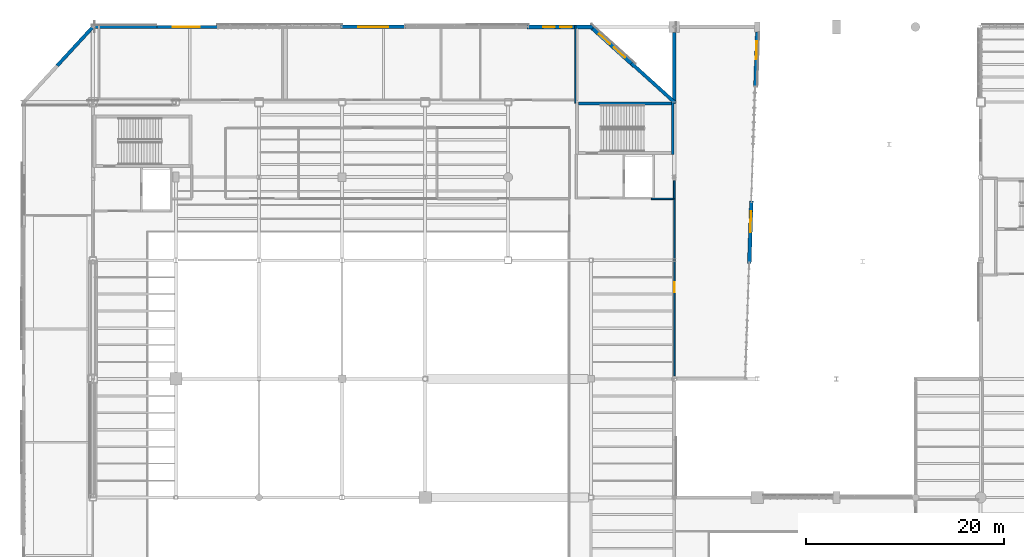
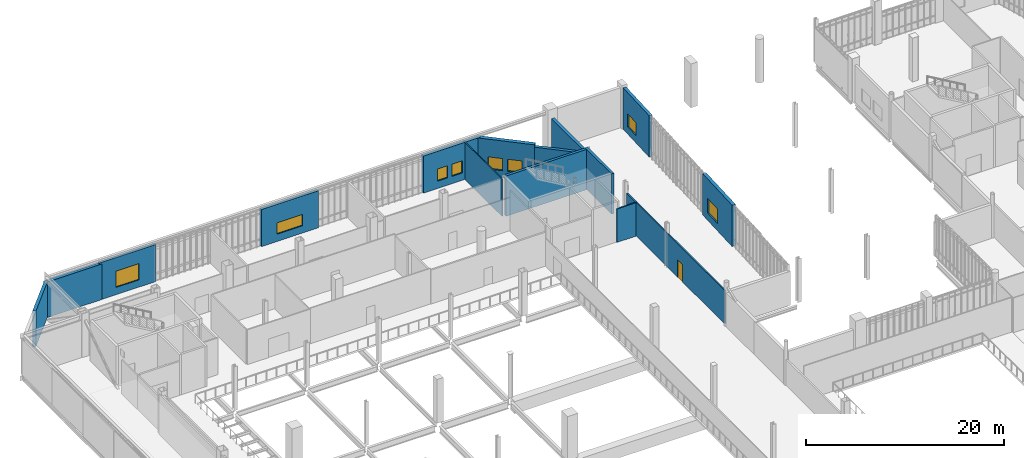
# One storey, part 110 of 127: 16 walls, 8 windows, 1 door, 9 openings.
"""IFC4 building model written with IfcOpenShell, lengths in metres."""

from ifc_helpers import new_model, si_unit, direction, frame, frame_2d, origin, place, context, subcontext, project, spatial, rectangle, extrude, material, layer, layer_set, type_object, element, fill, save


model = new_model("IFC4")

# Units and contexts
model_context = context("Model", 3, precision=1e-05, world=origin(), true_north=direction((0.0, 1.0)))
body_context = subcontext(model_context, "Body", "Model", "MODEL_VIEW")
ifc_project = project(units=[si_unit("LENGTHUNIT", "METRE"), si_unit("AREAUNIT", "SQUARE_METRE"), si_unit("VOLUMEUNIT", "CUBIC_METRE"), si_unit("PLANEANGLEUNIT", "RADIAN"), si_unit("MASSUNIT", "GRAM", prefix="KILO")], contexts=[model_context])

# Site, building, storey
site_placement = place(None, origin())
site = spatial("IfcSite", under=ifc_project, at=site_placement, CompositionType="ELEMENT")
building_placement = place(site_placement, origin())
building = spatial("IfcBuilding", under=site, at=building_placement, Name="Larkvane Passage Sports Hall", CompositionType="ELEMENT")
storey_placement = place(building_placement, frame((0.0, 0.0, 5.39990234375)))
storey = spatial("IfcBuildingStorey", under=building, at=storey_placement, Name="L01", CompositionType="ELEMENT", Elevation=5.39990234375)

# Walls
ifc_material_1 = material(Name="Concrete C50/60", Category="concrete")
ifc_layer_1 = layer(ifc_material_1, 0.360107421875)
ifc_layer_set_1 = layer_set([ifc_layer_1], Name="Concrete C50/60")
wall_type_1 = type_object("IfcWallType", Name="WL-CORE-360", PredefinedType="SHEAR", material=ifc_layer_set_1)
wall_1_placement = place(storey_placement, frame((93.449951171875, 91.60009765625, 0.0), z_axis=(0.0, 0.0, 1.0), x_axis=(0.0, -1.0, 0.0)))
element("IfcWall", 1, at=wall_1_placement, inside=storey, type_object=wall_type_1, Name="Core shear wall WAL-CORE-C3-L01-E", PredefinedType="SHEAR", context=body_context, shape_type="SweptSolid", body=[
    extrude(rectangle(XDim=5.300048828125, YDim=0.300048828125, at=frame_2d((2.64990234375, 0.0))), origin(), (0.0, 0.0, 1.0), 4.97998046875),
])
ifc_layer_2 = layer(ifc_material_1, 0.360107421875)
ifc_layer_set_2 = layer_set([ifc_layer_2], Name="Concrete C50/60")
wall_type_2 = type_object("IfcWallType", Name="WL-CORE-EXT-360", PredefinedType="SHEAR", material=ifc_layer_set_2)
wall_2_placement = place(storey_placement, frame((83.89990234375, 91.449951171875, 0.0), z_axis=(0.0, 0.0, 1.0), x_axis=(1.0, 0.0, 0.0)))
element("IfcWall", 2, at=wall_2_placement, inside=storey, type_object=wall_type_2, Name="Core shear wall WAL-CORE-C3-L01-N", PredefinedType="SHEAR", context=body_context, shape_type="SweptSolid", body=[
    extrude(rectangle(XDim=9.400146484375, YDim=0.300048828125, at=frame_2d((4.7001953125, 0.0))), origin(), (0.0, 0.0, 1.0), 4.97998046875),
])

# Wall, opening, window
ifc_material_2 = material(Name="Precast concrete C45/55", Category="concrete")
ifc_layer_3 = layer(ifc_material_2, 0.31005859375)
ifc_layer_set_3 = layer_set([ifc_layer_3], Name="Precast concrete C45/55")
wall_type_3 = type_object("IfcWallType", Name="WL-EXT-310", PredefinedType="SOLIDWALL", material=ifc_layer_set_3)
wall_3_placement = place(storey_placement, frame((40.951171875, 99.199951171875, 0.0), z_axis=(0.0, 0.0, 1.0), x_axis=(1.0, 0.0, 0.0)))
wall_3 = element("IfcWall", 3, at=wall_3_placement, inside=storey, type_object=wall_type_3, Name="Exterior wall WAL-EXT-L01-073", PredefinedType="SOLIDWALL", context=body_context, shape_type="SweptSolid", body=[
    extrude(rectangle(XDim=6.59765625, YDim=0.31005859375, at=frame_2d((3.298828125, 0.0))), origin(), (0.0, 0.0, 1.0), 4.578125),
])
opening_1_placement = place(wall_3_placement, frame((1.948974609375, 0.0, 0.89990234375)))
opening_1 = element("IfcOpeningElement", 4, at=opening_1_placement, cuts=wall_3, Name="Opening W-05", PredefinedType="OPENING", context=body_context, shape_type="SweptSolid", body=[
    extrude(rectangle(XDim=2.699951171875, YDim=2.0, at=frame_2d((1.35009765625, 1.0))), frame((0.0, 0.1650390625, 0.0), z_axis=(0.0, -1.0, 0.0), x_axis=(1.0, 0.0, 0.0)), (0.0, 0.0, 1.0), 0.330078125),
])
ifc_material_3 = material(Name="Thermally broken aluminium and laminated low-E glass", Category="aluminium")
window_type_1 = type_object("IfcWindowType", Name="WN-FIX-2700x2000", PartitioningType="TRIPLE_PANEL_VERTICAL", PredefinedType="WINDOW", material=ifc_material_3)
window_1_placement = place(opening_1_placement, origin())
window_1 = element("IfcWindow", 5, at=window_1_placement, inside=storey, type_object=window_type_1, Name="Window L01-019", OverallHeight=2.0, OverallWidth=2.699951171875, PartitioningType="TRIPLE_PANEL_VERTICAL", PredefinedType="WINDOW", context=body_context, shape_type="SweptSolid", body=[
    extrude(rectangle(XDim=2.699951171875, YDim=2.0, at=frame_2d((1.35009765625, 1.0))), frame((0.0, 0.030029296875, 0.0), z_axis=(0.0, -1.0, 0.0), x_axis=(1.0, 0.0, 0.0)), (0.0, 0.0, 1.0), 0.06005859375),
])
fill(opening_1, window_1)

# Walls
ifc_layer_4 = layer(ifc_material_2, 0.344970703125)
ifc_layer_set_4 = layer_set([ifc_layer_4], Name="Precast concrete C45/55")
wall_type_4 = type_object("IfcWallType", Name="WL-EXT-345", PredefinedType="SOLIDWALL", material=ifc_layer_set_4)
wall_4_placement = place(storey_placement, frame((31.187744140625, 95.2783203125, 0.0), z_axis=(0.0, 0.0, 1.0), x_axis=(0.677488400695, 0.735533457379, 0.0)))
element("IfcWall", 6, at=wall_4_placement, inside=storey, type_object=wall_type_4, Name="Exterior wall WAL-EXT-L01-071", PredefinedType="SOLIDWALL", context=body_context, shape_type="SweptSolid", body=[
    extrude(rectangle(XDim=5.497314453125, YDim=0.344970703125, at=frame_2d((2.74853515625, 0.0))), origin(), (0.0, 0.0, 1.0), 4.380126953125),
])
wall_5_placement = place(storey_placement, frame((34.634521484375, 99.199951171875, 0.0), z_axis=(0.0, 0.0, 1.0), x_axis=(1.0, 0.0, 0.0)))
element("IfcWall", 7, at=wall_5_placement, inside=storey, type_object=wall_type_4, Name="Exterior wall WAL-EXT-L01-072", PredefinedType="SOLIDWALL", context=body_context, shape_type="SweptSolid", body=[
    extrude(rectangle(XDim=6.631103515625, YDim=0.344970703125, at=frame_2d((3.3154296875, 0.0))), origin(), (0.0, 0.0, 1.0), 4.380126953125),
])

# Wall, opening, window
wall_6_placement = place(storey_placement, frame((59.83447265625, 99.199951171875, 0.0), z_axis=(0.0, 0.0, 1.0), x_axis=(1.0, 0.0, 0.0)))
wall_6 = element("IfcWall", 8, at=wall_6_placement, inside=storey, type_object=wall_type_4, Name="Exterior wall WAL-EXT-L01-074", PredefinedType="SOLIDWALL", context=body_context, shape_type="SweptSolid", body=[
    extrude(rectangle(XDim=6.631103515625, YDim=0.344970703125, at=frame_2d((3.3154296875, 0.0))), origin(), (0.0, 0.0, 1.0), 4.578125),
])
opening_2_placement = place(wall_6_placement, frame((1.81591796875, 0.0, 0.89990234375)))
opening_2 = element("IfcOpeningElement", 9, at=opening_2_placement, cuts=wall_6, Name="Opening W-06", PredefinedType="OPENING", context=body_context, shape_type="SweptSolid", body=[
    extrude(rectangle(XDim=3.0, YDim=1.39990234375, at=frame_2d((1.5, 0.699951171875))), frame((0.0, 0.182373046875, 0.0), z_axis=(0.0, -1.0, 0.0), x_axis=(1.0, 0.0, 0.0)), (0.0, 0.0, 1.0), 0.364990234375),
])
window_type_2 = type_object("IfcWindowType", Name="WN-FIX-3000x1400", PartitioningType="TRIPLE_PANEL_VERTICAL", PredefinedType="WINDOW", material=ifc_material_3)
window_2_placement = place(opening_2_placement, origin())
window_2 = element("IfcWindow", 10, at=window_2_placement, inside=storey, type_object=window_type_2, Name="Window L01-020", OverallHeight=1.39990234375, OverallWidth=3.0, PartitioningType="TRIPLE_PANEL_VERTICAL", PredefinedType="WINDOW", context=body_context, shape_type="SweptSolid", body=[
    extrude(rectangle(XDim=3.0, YDim=1.39990234375, at=frame_2d((1.5, 0.699951171875))), frame((0.0, 0.030029296875, 0.0), z_axis=(0.0, -1.0, 0.0), x_axis=(1.0, 0.0, 0.0)), (0.0, 0.0, 1.0), 0.06005859375),
])
fill(opening_2, window_2)

# Walls
wall_7_placement = place(storey_placement, frame((89.277099609375, 95.510986328125, 0.0), z_axis=(0.0, 0.0, 1.0), x_axis=(0.741537713453, -0.670911186021, 0.0)))
element("IfcWall", 11, at=wall_7_placement, inside=storey, type_object=wall_type_4, Name="Exterior wall WAL-EXT-L01-077", PredefinedType="SOLIDWALL", context=body_context, shape_type="SweptSolid", body=[
    extrude(rectangle(XDim=5.980224609375, YDim=0.344970703125, at=frame_2d((2.990234375, 0.0))), origin(), (0.0, 0.0, 1.0), 4.26806640625),
])
wall_8_placement = place(storey_placement, frame((93.60009765625, 91.4443359375, 0.0), z_axis=(0.0, 0.0, 1.0), x_axis=(0.0, 1.0, 0.0)))
element("IfcWall", 12, at=wall_8_placement, inside=storey, type_object=wall_type_4, Name="Exterior wall WAL-EXT-L01-078", PredefinedType="SOLIDWALL", context=body_context, shape_type="SweptSolid", body=[
    extrude(rectangle(XDim=7.209716796875, YDim=0.344970703125, at=frame_2d((3.60498046875, 0.0))), origin(), (0.0, 0.0, 1.0), 4.26806640625),
])

# Wall, opening, window
wall_9_placement = place(storey_placement, frame((101.98291015625, 98.694580078125, 0.0), z_axis=(0.0, 0.0, 1.0), x_axis=(-0.033677960395, -0.999432736598, 0.0)))
wall_9 = element("IfcWall", 13, at=wall_9_placement, inside=storey, type_object=wall_type_4, Name="Exterior wall WAL-EXT-L01-080", PredefinedType="SOLIDWALL", context=body_context, shape_type="SweptSolid", body=[
    extrude(rectangle(XDim=5.596435546875, YDim=0.344970703125, at=frame_2d((2.79833984375, 0.0))), origin(), (0.0, 0.0, 1.0), 5.10009765625),
])
opening_3_placement = place(wall_9_placement, frame((0.965087890625, 0.0, 0.89990234375)))
opening_3 = element("IfcOpeningElement", 14, at=opening_3_placement, cuts=wall_9, Name="Opening W-02", PredefinedType="OPENING", context=body_context, shape_type="SweptSolid", body=[
    extrude(rectangle(XDim=1.800048828125, YDim=1.60009765625, at=frame_2d((0.89990234375, 0.800048828125))), frame((0.0, 0.182373046875, 0.0), z_axis=(0.0, -1.0, 0.0), x_axis=(1.0, 0.0, 0.0)), (0.0, 0.0, 1.0), 0.364990234375),
])
window_type_3 = type_object("IfcWindowType", Name="WN-FIX-1800x1600", PartitioningType="SINGLE_PANEL", PredefinedType="WINDOW", material=ifc_material_3)
window_3_placement = place(opening_3_placement, origin())
window_3 = element("IfcWindow", 15, at=window_3_placement, inside=storey, type_object=window_type_3, Name="Window L01-025", OverallHeight=1.60009765625, OverallWidth=1.800048828125, PartitioningType="SINGLE_PANEL", PredefinedType="WINDOW", context=body_context, shape_type="SweptSolid", body=[
    extrude(rectangle(XDim=1.800048828125, YDim=1.60009765625, at=frame_2d((0.89990234375, 0.800048828125))), frame((0.0, 0.030029296875, 0.0), z_axis=(0.0, -1.0, 0.0), x_axis=(1.0, 0.0, 0.0)), (0.0, 0.0, 1.0), 0.06005859375),
])
fill(opening_3, window_3)

# Wall, openings, windows
ifc_material_4 = material(Name="Concrete C40/50", Category="concrete")
ifc_layer_5 = layer(ifc_material_4, 0.385009765625)
ifc_layer_set_5 = layer_set([ifc_layer_5], Name="Concrete C40/50")
wall_type_5 = type_object("IfcWallType", Name="WL-EXT-385", PredefinedType="SOLIDWALL", material=ifc_layer_set_5)
wall_10_placement = place(storey_placement, frame((78.715087890625, 99.199951171875, 0.0), z_axis=(0.0, 0.0, 1.0), x_axis=(1.0, 0.0, 0.0)))
wall_10 = element("IfcWall", 16, at=wall_10_placement, inside=storey, type_object=wall_type_5, Name="Exterior wall WAL-EXT-L01-075", PredefinedType="SOLIDWALL", context=body_context, shape_type="SweptSolid", body=[
    extrude(rectangle(XDim=6.669677734375, YDim=0.385009765625, at=frame_2d((3.3349609375, 0.0))), origin(), (0.0, 0.0, 1.0), 4.578125),
])
opening_4_placement = place(wall_10_placement, frame((1.623046875, 0.0, 0.89990234375)))
opening_4 = element("IfcOpeningElement", 17, at=opening_4_placement, cuts=wall_10, Name="Opening W-07", PredefinedType="OPENING", context=body_context, shape_type="SweptSolid", body=[
    extrude(rectangle(XDim=1.199951171875, YDim=1.5, at=frame_2d((0.60009765625, 0.75))), frame((0.0, 0.202392578125, 0.0), z_axis=(0.0, -1.0, 0.0), x_axis=(1.0, 0.0, 0.0)), (0.0, 0.0, 1.0), 0.405029296875),
])
opening_5_placement = place(wall_10_placement, frame((3.3349609375, 0.0, 0.89990234375)))
opening_5 = element("IfcOpeningElement", 18, at=opening_5_placement, cuts=wall_10, Name="Opening W-07", PredefinedType="OPENING", context=body_context, shape_type="SweptSolid", body=[
    extrude(rectangle(XDim=1.199951171875, YDim=1.5, at=frame_2d((0.60009765625, 0.75))), frame((0.0, 0.202392578125, 0.0), z_axis=(0.0, -1.0, 0.0), x_axis=(1.0, 0.0, 0.0)), (0.0, 0.0, 1.0), 0.405029296875),
])
window_type_4 = type_object("IfcWindowType", Name="WN-CAS-1200x1500", PartitioningType="DOUBLE_PANEL_VERTICAL", PredefinedType="WINDOW", material=ifc_material_3)
window_4_placement = place(opening_4_placement, origin())
window_4 = element("IfcWindow", 19, at=window_4_placement, inside=storey, type_object=window_type_4, Name="Window L01-021", OverallHeight=1.5, OverallWidth=1.199951171875, PartitioningType="DOUBLE_PANEL_VERTICAL", PredefinedType="WINDOW", context=body_context, shape_type="SweptSolid", body=[
    extrude(rectangle(XDim=1.199951171875, YDim=1.5, at=frame_2d((0.60009765625, 0.75))), frame((0.0, 0.030029296875, 0.0), z_axis=(0.0, -1.0, 0.0), x_axis=(1.0, 0.0, 0.0)), (0.0, 0.0, 1.0), 0.06005859375),
])
fill(opening_4, window_4)
window_5_placement = place(opening_5_placement, origin())
window_5 = element("IfcWindow", 20, at=window_5_placement, inside=storey, type_object=window_type_4, Name="Window L01-022", OverallHeight=1.5, OverallWidth=1.199951171875, PartitioningType="DOUBLE_PANEL_VERTICAL", PredefinedType="WINDOW", context=body_context, shape_type="SweptSolid", body=[
    extrude(rectangle(XDim=1.199951171875, YDim=1.5, at=frame_2d((0.60009765625, 0.75))), frame((0.0, 0.030029296875, 0.0), z_axis=(0.0, -1.0, 0.0), x_axis=(1.0, 0.0, 0.0)), (0.0, 0.0, 1.0), 0.06005859375),
])
fill(opening_5, window_5)

# Wall, opening, window
wall_11_placement = place(storey_placement, frame((101.40625, 81.584716796875, 0.0), z_axis=(0.0, 0.0, 1.0), x_axis=(-0.033680910844, -0.999432637172, 0.0)))
wall_11 = element("IfcWall", 21, at=wall_11_placement, inside=storey, type_object=wall_type_5, Name="Exterior wall WAL-EXT-L01-081", PredefinedType="SOLIDWALL", context=body_context, shape_type="SweptSolid", body=[
    extrude(rectangle(XDim=6.306396484375, YDim=0.385009765625, at=frame_2d((3.1533203125, 0.0))), origin(), (0.0, 0.0, 1.0), 5.10009765625),
])
opening_6_placement = place(wall_11_placement, frame((1.052001953125, 0.0, 0.89990234375)))
opening_6 = element("IfcOpeningElement", 22, at=opening_6_placement, cuts=wall_11, Name="Opening W-03", PredefinedType="OPENING", context=body_context, shape_type="SweptSolid", body=[
    extrude(rectangle(XDim=2.10009765625, YDim=1.800048828125, at=frame_2d((1.050048828125, 0.89990234375))), frame((0.0, 0.202392578125, 0.0), z_axis=(0.0, -1.0, 0.0), x_axis=(1.0, 0.0, 0.0)), (0.0, 0.0, 1.0), 0.405029296875),
])
window_type_5 = type_object("IfcWindowType", Name="WN-FIX-2100x1800", PartitioningType="DOUBLE_PANEL_VERTICAL", PredefinedType="WINDOW", material=ifc_material_3)
window_6_placement = place(opening_6_placement, origin())
window_6 = element("IfcWindow", 23, at=window_6_placement, inside=storey, type_object=window_type_5, Name="Window L01-026", OverallHeight=1.800048828125, OverallWidth=2.10009765625, PartitioningType="DOUBLE_PANEL_VERTICAL", PredefinedType="WINDOW", context=body_context, shape_type="SweptSolid", body=[
    extrude(rectangle(XDim=2.10009765625, YDim=1.800048828125, at=frame_2d((1.050048828125, 0.89990234375))), frame((0.0, 0.030029296875, 0.0), z_axis=(0.0, -1.0, 0.0), x_axis=(1.0, 0.0, 0.0)), (0.0, 0.0, 1.0), 0.06005859375),
])
fill(opening_6, window_6)

# Wall, openings, windows
ifc_layer_6 = layer(ifc_material_4, 0.425048828125)
ifc_layer_set_6 = layer_set([ifc_layer_6], Name="Concrete C40/50")
wall_type_6 = type_object("IfcWallType", Name="WL-EXT-425", PredefinedType="SOLIDWALL", material=ifc_layer_set_6)
wall_12_placement = place(storey_placement, frame((85.048583984375, 99.3369140625, 0.0), z_axis=(0.0, 0.0, 1.0), x_axis=(0.741546257038, -0.670901742934, 0.0)))
wall_12 = element("IfcWall", 24, at=wall_12_placement, inside=storey, type_object=wall_type_6, Name="Exterior wall WAL-EXT-L01-076", PredefinedType="SOLIDWALL", context=body_context, shape_type="SweptSolid", body=[
    extrude(rectangle(XDim=6.072021484375, YDim=0.425048828125, at=frame_2d((3.0361328125, 0.0))), origin(), (0.0, 0.0, 1.0), 4.578125),
])
opening_7_placement = place(wall_12_placement, frame((1.27392578125, 0.0, 0.89990234375)))
opening_7 = element("IfcOpeningElement", 25, at=opening_7_placement, cuts=wall_12, Name="Opening W-08", PredefinedType="OPENING", context=body_context, shape_type="SweptSolid", body=[
    extrude(rectangle(XDim=1.5, YDim=1.5, at=frame_2d((0.75, 0.75))), frame((0.0, 0.222412109375, 0.0), z_axis=(0.0, -1.0, 0.0), x_axis=(1.0, 0.0, 0.0)), (0.0, 0.0, 1.0), 0.445068359375),
])
opening_8_placement = place(wall_12_placement, frame((3.298095703125, 0.0, 0.89990234375)))
opening_8 = element("IfcOpeningElement", 26, at=opening_8_placement, cuts=wall_12, Name="Opening W-08", PredefinedType="OPENING", context=body_context, shape_type="SweptSolid", body=[
    extrude(rectangle(XDim=1.5, YDim=1.5, at=frame_2d((0.75, 0.75))), frame((0.0, 0.222412109375, 0.0), z_axis=(0.0, -1.0, 0.0), x_axis=(1.0, 0.0, 0.0)), (0.0, 0.0, 1.0), 0.445068359375),
])
window_type_6 = type_object("IfcWindowType", Name="WN-CAS-1500x1500", PartitioningType="DOUBLE_PANEL_VERTICAL", PredefinedType="WINDOW", material=ifc_material_3)
window_7_placement = place(opening_7_placement, origin())
window_7 = element("IfcWindow", 27, at=window_7_placement, inside=storey, type_object=window_type_6, Name="Window L01-023", OverallHeight=1.5, OverallWidth=1.5, PartitioningType="DOUBLE_PANEL_VERTICAL", PredefinedType="WINDOW", context=body_context, shape_type="SweptSolid", body=[
    extrude(rectangle(XDim=1.5, YDim=1.5, at=frame_2d((0.75, 0.75))), frame((0.0, 0.030029296875, 0.0), z_axis=(0.0, -1.0, 0.0), x_axis=(1.0, 0.0, 0.0)), (0.0, 0.0, 1.0), 0.06005859375),
])
fill(opening_7, window_7)
window_8_placement = place(opening_8_placement, origin())
window_8 = element("IfcWindow", 28, at=window_8_placement, inside=storey, type_object=window_type_6, Name="Window L01-024", OverallHeight=1.5, OverallWidth=1.5, PartitioningType="DOUBLE_PANEL_VERTICAL", PredefinedType="WINDOW", context=body_context, shape_type="SweptSolid", body=[
    extrude(rectangle(XDim=1.5, YDim=1.5, at=frame_2d((0.75, 0.75))), frame((0.0, 0.030029296875, 0.0), z_axis=(0.0, -1.0, 0.0), x_axis=(1.0, 0.0, 0.0)), (0.0, 0.0, 1.0), 0.06005859375),
])
fill(opening_8, window_8)

# Wall
ifc_material_5 = material(Name="Gypsum twin-stud fire-rated partition")
ifc_layer_7 = layer(ifc_material_5, 0.125)
ifc_layer_set_7 = layer_set([ifc_layer_7], Name="Gypsum twin-stud fire-rated partition")
wall_type_7 = type_object("IfcWallType", Name="WL-PART-125", PredefinedType="PARTITIONING", material=ifc_layer_set_7)
wall_13_placement = place(storey_placement, frame((83.60009765625, 99.33154296875, 0.0), z_axis=(0.0, 0.0, 1.0), x_axis=(0.0, -1.0, 0.0)))
element("IfcWall", 29, at=wall_13_placement, inside=storey, type_object=wall_type_7, Name="Interior partition WAL-PART-L01-0124", PredefinedType="PARTITIONING", context=body_context, shape_type="SweptSolid", body=[
    extrude(rectangle(XDim=7.83154296875, YDim=0.125, at=frame_2d((3.915771484375, 0.0))), origin(), (0.0, 0.0, 1.0), 4.580078125),
])

# Wall, opening, door
ifc_material_6 = material(Name="Gypsum acoustic partition")
ifc_layer_8 = layer(ifc_material_6, 0.14990234375)
ifc_layer_set_8 = layer_set([ifc_layer_8], Name="Gypsum acoustic partition")
wall_type_8 = type_object("IfcWallType", Name="WL-PART-150", PredefinedType="PARTITIONING", material=ifc_layer_set_8)
wall_14_placement = place(storey_placement, frame((93.6201171875, 63.90283203125, 0.0), z_axis=(0.0, 0.0, 1.0), x_axis=(0.0, 1.0, 0.0)))
wall_14 = element("IfcWall", 30, at=wall_14_placement, inside=storey, type_object=wall_type_8, Name="Interior partition WAL-PART-L01-0141", PredefinedType="PARTITIONING", context=body_context, shape_type="SweptSolid", body=[
    extrude(rectangle(XDim=17.897216796875, YDim=0.14990234375, at=frame_2d((8.94873046875, 0.0))), origin(), (0.0, 0.0, 1.0), 4.1201171875),
])
opening_9_placement = place(wall_14_placement, frame((8.448974609375, 0.0, 0.0)))
opening_9 = element("IfcOpeningElement", 31, at=opening_9_placement, cuts=wall_14, Name="Opening DI-01", PredefinedType="OPENING", context=body_context, shape_type="SweptSolid", body=[
    extrude(rectangle(XDim=1.0, YDim=2.14990234375, at=frame_2d((0.5, 1.074951171875))), frame((0.0, 0.0849609375, 0.0), z_axis=(0.0, -1.0, 0.0), x_axis=(1.0, 0.0, 0.0)), (0.0, 0.0, 1.0), 0.169921875),
])
ifc_material_7 = material(Name="Solid-core hardwood acoustic door", Category="wood")
door_type = type_object("IfcDoorType", Name="DR-INT-1000", OperationType="NOTDEFINED", PredefinedType="DOOR", material=ifc_material_7)
door_placement = place(opening_9_placement, origin())
door = element("IfcDoor", 32, at=door_placement, inside=storey, type_object=door_type, Name="Interior door L01-0048", OperationType="SINGLE_SWING_RIGHT", OverallHeight=2.14990234375, OverallWidth=1.0, PredefinedType="DOOR", context=body_context, shape_type="SweptSolid", body=[
    extrude(rectangle(XDim=1.0, YDim=2.14990234375, at=frame_2d((0.5, 1.074951171875))), frame((0.0, 0.02490234375, 0.0), z_axis=(0.0, -1.0, 0.0), x_axis=(1.0, 0.0, 0.0)), (0.0, 0.0, 1.0), 0.050048828125),
])
fill(opening_9, door)

# Walls
wall_15_placement = place(storey_placement, frame((91.300048828125, 81.800048828125, 0.0), z_axis=(0.0, 0.0, 1.0), x_axis=(1.0, 0.0, 0.0)))
element("IfcWall", 33, at=wall_15_placement, inside=storey, type_object=wall_type_8, Name="Interior partition WAL-PART-L01-0165", PredefinedType="PARTITIONING", context=body_context, shape_type="SweptSolid", body=[
    extrude(rectangle(XDim=2.199951171875, YDim=0.14990234375, at=frame_2d((1.10009765625, 0.0))), origin(), (0.0, 0.0, 1.0), 4.1201171875),
])
ifc_material_8 = material(Name="Gypsum high-bay court partition")
ifc_layer_9 = layer(ifc_material_8, 0.179931640625)
ifc_layer_set_9 = layer_set([ifc_layer_9], Name="Gypsum high-bay court partition")
wall_type_9 = type_object("IfcWallType", Name="WL-PART-180", PredefinedType="PARTITIONING", material=ifc_layer_set_9)
wall_16_placement = place(storey_placement, frame((93.60009765625, 81.820068359375, 0.0), z_axis=(0.0, 0.0, 1.0), x_axis=(0.0, 1.0, 0.0)))
element("IfcWall", 34, at=wall_16_placement, inside=storey, type_object=wall_type_9, Name="Interior partition WAL-PART-L01-0142", PredefinedType="PARTITIONING", context=body_context, shape_type="SweptSolid", body=[
    extrude(rectangle(XDim=1.83984375, YDim=0.179931640625, at=frame_2d((0.919921875, 0.0))), origin(), (0.0, 0.0, 1.0), 4.1201171875),
])

save(model, "model.ifc")
